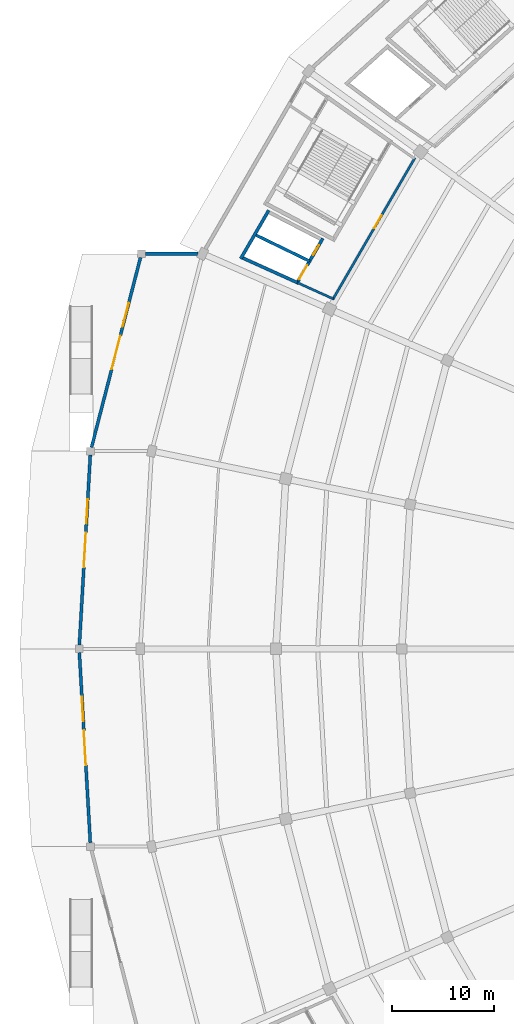
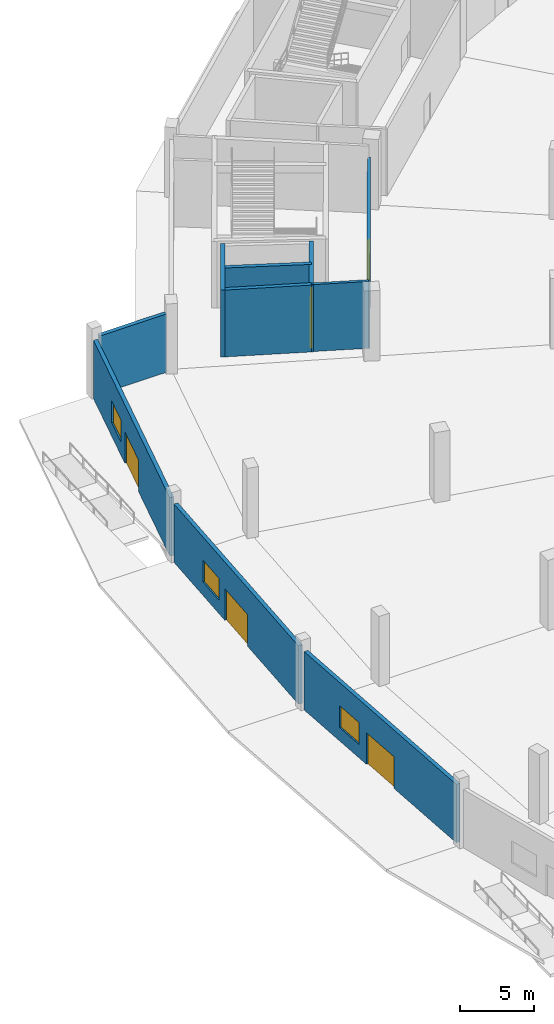
# One storey, part 12 of 48: 10 walls, 6 doors, 3 windows, 9 openings.
"""IFC4 building model written with IfcOpenShell, lengths in metres."""

from ifc_helpers import new_model, si_unit, direction, frame, frame_2d, origin, place, context, subcontext, project, spatial, rectangle, extrude, material, layer, layer_set, type_object, element, fill, save


model = new_model("IFC4")

# Units and contexts
model_context = context("Model", 3, precision=1e-05, world=origin(), true_north=direction((0.0, 1.0)))
body_context = subcontext(model_context, "Body", "Model", "MODEL_VIEW")
ifc_project = project(units=[si_unit("LENGTHUNIT", "METRE"), si_unit("AREAUNIT", "SQUARE_METRE"), si_unit("VOLUMEUNIT", "CUBIC_METRE"), si_unit("PLANEANGLEUNIT", "RADIAN"), si_unit("MASSUNIT", "GRAM", prefix="KILO")], contexts=[model_context])

# Site, building, storey
site_placement = place(None, origin())
site = spatial("IfcSite", under=ifc_project, at=site_placement, CompositionType="ELEMENT")
building_placement = place(site_placement, origin())
building = spatial("IfcBuilding", under=site, at=building_placement, Name="Kazemori Nagisa Stadium", CompositionType="ELEMENT")
storey_placement = place(building_placement, origin())
storey = spatial("IfcBuildingStorey", under=building, at=storey_placement, Name="L00", CompositionType="ELEMENT", Elevation=0.0)

# Wall
ifc_material_1 = material(Name="Concrete C40/50 (Fc42) precast", Category="concrete")
ifc_layer_1 = layer(ifc_material_1, 0.300048828125, Name="Concrete C40/50 (Fc42) precast", Category="concrete")
ifc_layer_set_1 = layer_set([ifc_layer_1], Name="Concrete C40/50 (Fc42) precast")
wall_type_1 = type_object("IfcWallType", Name="Wall_W-EXT-300", PredefinedType="SOLIDWALL", material=ifc_layer_set_1)
wall_1_placement = place(storey_placement, frame((33.675048828125, 140.74951171875, 0.0), z_axis=(0.0, 0.0, 1.0), x_axis=(-1.0, 0.0, 0.0)))
element("IfcWall", 1, at=wall_1_placement, inside=storey, type_object=wall_type_1, Name="West grandstand return wall L00-N", PredefinedType="SOLIDWALL", context=body_context, shape_type="SweptSolid", body=[
    extrude(rectangle(XDim=5.179931640625, YDim=0.300048828125, at=frame_2d((2.58984375, 0.0))), origin(), (0.0, 0.0, 1.0), 4.800048828125),
])

# Wall, openings, door, window
wall_2_placement = place(storey_placement, frame((28.02001953125, 140.381591796875, 0.0), z_axis=(0.0, 0.0, 1.0), x_axis=(-0.249965196191, -0.968254822189, 0.0)))
wall_2 = element("IfcWall", 2, at=wall_2_placement, inside=storey, type_object=wall_type_1, Name="Ground exterior entrance wall L00-13", PredefinedType="SOLIDWALL", context=body_context, shape_type="SweptSolid", body=[
    extrude(rectangle(XDim=19.226318359375, YDim=0.300048828125, at=frame_2d((9.61328125, 0.0))), origin(), (0.0, 0.0, 1.0), 4.800048828125),
])
opening_1_placement = place(wall_2_placement, frame((7.9130859375, 0.0, 0.0)))
opening_1 = element("IfcOpeningElement", 3, at=opening_1_placement, cuts=wall_2, Name="Opening D-ENT-3400", PredefinedType="OPENING", context=body_context, shape_type="SweptSolid", body=[
    extrude(rectangle(XDim=3.39990234375, YDim=2.60009765625, at=frame_2d((1.699951171875, 1.300048828125))), frame((0.0, 0.159912109375, 0.0), z_axis=(0.0, -1.0, 0.0), x_axis=(1.0, 0.0, 0.0)), (0.0, 0.0, 1.0), 0.320068359375),
])
opening_2_placement = place(wall_2_placement, frame((4.613037109375, 0.0, 1.10009765625)))
opening_2 = element("IfcOpeningElement", 4, at=opening_2_placement, cuts=wall_2, Name="Opening WIN-L00-2400", PredefinedType="OPENING", context=body_context, shape_type="SweptSolid", body=[
    extrude(rectangle(XDim=2.39990234375, YDim=1.800048828125, at=frame_2d((1.199951171875, 0.89990234375))), frame((0.0, 0.159912109375, 0.0), z_axis=(0.0, -1.0, 0.0), x_axis=(1.0, 0.0, 0.0)), (0.0, 0.0, 1.0), 0.320068359375),
])
ifc_material_2 = material(Name="Anodised aluminium 6063-T5", Category="aluminium")
door_type_1 = type_object("IfcDoorType", Name="Door_D-ENT-3400", OperationType="NOTDEFINED", PredefinedType="DOOR", material=ifc_material_2)
door_1_placement = place(opening_1_placement, frame((3.39990234375, 0.0, 0.0), z_axis=(0.0, 0.0, 1.0), x_axis=(-1.0, 0.0, 0.0)))
door_1 = element("IfcDoor", 5, at=door_1_placement, inside=storey, type_object=door_type_1, Name="Main entrance E3", OperationType="DOUBLE_DOOR_SINGLE_SWING", OverallHeight=2.60009765625, OverallWidth=3.39990234375, PredefinedType="DOOR", context=body_context, shape_type="SweptSolid", body=[
    extrude(rectangle(XDim=3.39990234375, YDim=2.60009765625, at=frame_2d((1.699951171875, 1.300048828125))), frame((0.0, 0.02490234375, 0.0), z_axis=(0.0, -1.0, 0.0), x_axis=(1.0, 0.0, 0.0)), (0.0, 0.0, 1.0), 0.050048828125),
])
fill(opening_1, door_1)
ifc_material_3 = material(Name="Low-e laminated double glazing", Category="glass")
window_type = type_object("IfcWindowType", Name="Window_WIN-L00-2400", PartitioningType="SINGLE_PANEL", PredefinedType="WINDOW", material=ifc_material_3)
window_1_placement = place(opening_2_placement, origin())
window_1 = element("IfcWindow", 6, at=window_1_placement, inside=storey, type_object=window_type, Name="Entrance foyer window L00-13", OverallHeight=1.800048828125, OverallWidth=2.39990234375, PartitioningType="SINGLE_PANEL", PredefinedType="WINDOW", context=body_context, shape_type="SweptSolid", body=[
    extrude(rectangle(XDim=2.39990234375, YDim=1.800048828125, at=frame_2d((1.199951171875, 0.89990234375))), frame((0.0, 0.030029296875, 0.0), z_axis=(0.0, -1.0, 0.0), x_axis=(1.0, 0.0, 0.0)), (0.0, 0.0, 1.0), 0.06005859375),
])
fill(opening_2, window_1)

wall_3_placement = place(storey_placement, frame((23.097412109375, 121.018310546875, 0.0), z_axis=(0.0, 0.0, 1.0), x_axis=(-0.057602801108, -0.998339580155, 0.0)))
wall_3 = element("IfcWall", 7, at=wall_3_placement, inside=storey, type_object=wall_type_1, Name="Ground exterior entrance wall L00-14", PredefinedType="SOLIDWALL", context=body_context, shape_type="SweptSolid", body=[
    extrude(rectangle(XDim=18.669921875, YDim=0.300048828125, at=frame_2d((9.3349609375, 0.0))), origin(), (0.0, 0.0, 1.0), 4.800048828125),
])
opening_3_placement = place(wall_3_placement, frame((7.635009765625, 0.0, 0.0)))
opening_3 = element("IfcOpeningElement", 8, at=opening_3_placement, cuts=wall_3, Name="Opening D-ENT-3400", PredefinedType="OPENING", context=body_context, shape_type="SweptSolid", body=[
    extrude(rectangle(XDim=3.39990234375, YDim=2.60009765625, at=frame_2d((1.699951171875, 1.300048828125))), frame((0.0, 0.159912109375, 0.0), z_axis=(0.0, -1.0, 0.0), x_axis=(1.0, 0.0, 0.0)), (0.0, 0.0, 1.0), 0.320068359375),
])
opening_4_placement = place(wall_3_placement, frame((4.3349609375, 0.0, 1.10009765625)))
opening_4 = element("IfcOpeningElement", 9, at=opening_4_placement, cuts=wall_3, Name="Opening WIN-L00-2400", PredefinedType="OPENING", context=body_context, shape_type="SweptSolid", body=[
    extrude(rectangle(XDim=2.39990234375, YDim=1.800048828125, at=frame_2d((1.199951171875, 0.89990234375))), frame((0.0, 0.159912109375, 0.0), z_axis=(0.0, -1.0, 0.0), x_axis=(1.0, 0.0, 0.0)), (0.0, 0.0, 1.0), 0.320068359375),
])
door_2_placement = place(opening_3_placement, frame((3.39990234375, 0.0, 0.0), z_axis=(0.0, 0.0, 1.0), x_axis=(-1.0, 0.0, 0.0)))
door_2 = element("IfcDoor", 10, at=door_2_placement, inside=storey, type_object=door_type_1, Name="Main entrance E1", OperationType="DOUBLE_DOOR_SINGLE_SWING", OverallHeight=2.60009765625, OverallWidth=3.39990234375, PredefinedType="DOOR", context=body_context, shape_type="SweptSolid", body=[
    extrude(rectangle(XDim=3.39990234375, YDim=2.60009765625, at=frame_2d((1.699951171875, 1.300048828125))), frame((0.0, 0.02490234375, 0.0), z_axis=(0.0, -1.0, 0.0), x_axis=(1.0, 0.0, 0.0)), (0.0, 0.0, 1.0), 0.050048828125),
])
fill(opening_3, door_2)
window_2_placement = place(opening_4_placement, origin())
window_2 = element("IfcWindow", 11, at=window_2_placement, inside=storey, type_object=window_type, Name="Entrance foyer window L00-14", OverallHeight=1.800048828125, OverallWidth=2.39990234375, PartitioningType="SINGLE_PANEL", PredefinedType="WINDOW", context=body_context, shape_type="SweptSolid", body=[
    extrude(rectangle(XDim=2.39990234375, YDim=1.800048828125, at=frame_2d((1.199951171875, 0.89990234375))), frame((0.0, 0.030029296875, 0.0), z_axis=(0.0, -1.0, 0.0), x_axis=(1.0, 0.0, 0.0)), (0.0, 0.0, 1.0), 0.06005859375),
])
fill(opening_4, window_2)

wall_4_placement = place(storey_placement, frame((22.02197265625, 101.62060546875, 0.0), z_axis=(0.0, 0.0, 1.0), x_axis=(0.057602801108, -0.998339580155, 0.0)))
wall_4 = element("IfcWall", 12, at=wall_4_placement, inside=storey, type_object=wall_type_1, Name="Ground exterior entrance wall L00-15", PredefinedType="SOLIDWALL", context=body_context, shape_type="SweptSolid", body=[
    extrude(rectangle(XDim=18.669921875, YDim=0.300048828125, at=frame_2d((9.3349609375, 0.0))), origin(), (0.0, 0.0, 1.0), 4.800048828125),
])
opening_5_placement = place(wall_4_placement, frame((7.635009765625, 0.0, 0.0)))
opening_5 = element("IfcOpeningElement", 13, at=opening_5_placement, cuts=wall_4, Name="Opening D-ENT-3400", PredefinedType="OPENING", context=body_context, shape_type="SweptSolid", body=[
    extrude(rectangle(XDim=3.39990234375, YDim=2.60009765625, at=frame_2d((1.699951171875, 1.300048828125))), frame((0.0, 0.159912109375, 0.0), z_axis=(0.0, -1.0, 0.0), x_axis=(1.0, 0.0, 0.0)), (0.0, 0.0, 1.0), 0.320068359375),
])
opening_6_placement = place(wall_4_placement, frame((4.3349609375, 0.0, 1.10009765625)))
opening_6 = element("IfcOpeningElement", 14, at=opening_6_placement, cuts=wall_4, Name="Opening WIN-L00-2400", PredefinedType="OPENING", context=body_context, shape_type="SweptSolid", body=[
    extrude(rectangle(XDim=2.39990234375, YDim=1.800048828125, at=frame_2d((1.199951171875, 0.89990234375))), frame((0.0, 0.159912109375, 0.0), z_axis=(0.0, -1.0, 0.0), x_axis=(1.0, 0.0, 0.0)), (0.0, 0.0, 1.0), 0.320068359375),
])
door_3_placement = place(opening_5_placement, frame((3.39990234375, 0.0, 0.0), z_axis=(0.0, 0.0, 1.0), x_axis=(-1.0, 0.0, 0.0)))
door_3 = element("IfcDoor", 15, at=door_3_placement, inside=storey, type_object=door_type_1, Name="Main entrance E2", OperationType="DOUBLE_DOOR_SINGLE_SWING", OverallHeight=2.60009765625, OverallWidth=3.39990234375, PredefinedType="DOOR", context=body_context, shape_type="SweptSolid", body=[
    extrude(rectangle(XDim=3.39990234375, YDim=2.60009765625, at=frame_2d((1.699951171875, 1.300048828125))), frame((0.0, 0.02490234375, 0.0), z_axis=(0.0, -1.0, 0.0), x_axis=(1.0, 0.0, 0.0)), (0.0, 0.0, 1.0), 0.050048828125),
])
fill(opening_5, door_3)
window_3_placement = place(opening_6_placement, origin())
window_3 = element("IfcWindow", 16, at=window_3_placement, inside=storey, type_object=window_type, Name="Entrance foyer window L00-15", OverallHeight=1.800048828125, OverallWidth=2.39990234375, PartitioningType="SINGLE_PANEL", PredefinedType="WINDOW", context=body_context, shape_type="SweptSolid", body=[
    extrude(rectangle(XDim=2.39990234375, YDim=1.800048828125, at=frame_2d((1.199951171875, 0.89990234375))), frame((0.0, 0.030029296875, 0.0), z_axis=(0.0, -1.0, 0.0), x_axis=(1.0, 0.0, 0.0)), (0.0, 0.0, 1.0), 0.06005859375),
])
fill(opening_6, window_3)

# Wall, opening, door
ifc_material_4 = material(Name="Concrete C36/45 (Fc36)", Category="concrete")
ifc_layer_2 = layer(ifc_material_4, 0.219970703125, Name="Concrete C36/45 (Fc36)", Category="concrete")
ifc_layer_set_2 = layer_set([ifc_layer_2], Name="Concrete C36/45 (Fc36)")
wall_type_2 = type_object("IfcWallType", Name="Wall_W-LOBBY-220", PredefinedType="SOLIDWALL", material=ifc_layer_set_2)
wall_5_placement = place(storey_placement, frame((54.9443359375, 150.17041015625, 0.0), z_axis=(0.0, 0.0, 1.0), x_axis=(-0.501612626242, -0.865092349518, 0.0)))
wall_5 = element("IfcWall", 17, at=wall_5_placement, inside=storey, type_object=wall_type_2, Name="Core lobby fire wall ST08 L00", PredefinedType="SOLIDWALL", context=body_context, shape_type="SweptSolid", body=[
    extrude(rectangle(XDim=16.110107421875, YDim=0.219970703125, at=frame_2d((8.05517578125, 0.0))), origin(), (0.0, 0.0, 1.0), 4.447998046875),
])
opening_7_placement = place(wall_5_placement, frame((6.510986328125, 0.0, 0.0)))
opening_7 = element("IfcOpeningElement", 18, at=opening_7_placement, cuts=wall_5, Name="Opening D-FFL-1500", PredefinedType="OPENING", context=body_context, shape_type="SweptSolid", body=[
    extrude(rectangle(XDim=1.5, YDim=2.199951171875, at=frame_2d((0.75, 1.10009765625))), frame((0.0, 0.119873046875, 0.0), z_axis=(0.0, -1.0, 0.0), x_axis=(1.0, 0.0, 0.0)), (0.0, 0.0, 1.0), 0.239990234375),
])
ifc_material_5 = material(Name="Galvanised steel sheet", Category="steel")
door_type_2 = type_object("IfcDoorType", Name="Door_D-FFL-1500", OperationType="NOTDEFINED", PredefinedType="DOOR", material=ifc_material_5)
door_4_placement = place(opening_7_placement, origin())
door_4 = element("IfcDoor", 19, at=door_4_placement, inside=storey, type_object=door_type_2, Name="Protected lobby fire door ST08-L00", OperationType="DOUBLE_DOOR_SINGLE_SWING", OverallHeight=2.199951171875, OverallWidth=1.5, PredefinedType="DOOR", context=body_context, shape_type="SweptSolid", body=[
    extrude(rectangle(XDim=1.5, YDim=2.199951171875, at=frame_2d((0.75, 1.10009765625))), frame((0.0, 0.02490234375, 0.0), z_axis=(0.0, -1.0, 0.0), x_axis=(1.0, 0.0, 0.0)), (0.0, 0.0, 1.0), 0.050048828125),
])
fill(opening_7, door_4)

# Wall
wall_6_placement = place(storey_placement, frame((46.91845703125, 136.328857421875, 0.0), z_axis=(0.0, 0.0, 1.0), x_axis=(-0.91149641055, 0.411308027582, 0.0)))
element("IfcWall", 20, at=wall_6_placement, inside=storey, type_object=wall_type_2, Name="Core lobby right wall ST08 L00", PredefinedType="SOLIDWALL", context=body_context, shape_type="SweptSolid", body=[
    extrude(rectangle(XDim=3.873046875, YDim=0.219970703125, at=frame_2d((1.9365234375, 0.0))), origin(), (0.0, 0.0, 1.0), 5.5),
])

# Wall, openings, doors
ifc_material_6 = material(Name="Concrete C40/50 (Fc42)", Category="concrete")
ifc_layer_3 = layer(ifc_material_6, 0.300048828125, Name="Concrete C40/50 (Fc42)", Category="concrete")
ifc_layer_set_3 = layer_set([ifc_layer_3], Name="Concrete C40/50 (Fc42)")
wall_type_3 = type_object("IfcWallType", Name="Wall_W-SHAFT-300", PredefinedType="SHEAR", material=ifc_layer_set_3)
wall_7_placement = place(storey_placement, frame((45.89990234375, 142.253662109375, 0.0), z_axis=(0.0, 0.0, 1.0), x_axis=(-0.501629534056, -0.86508254552, 0.0)))
wall_7 = element("IfcWall", 21, at=wall_7_placement, inside=storey, type_object=wall_type_3, Name="Lift shaft front wall LP6 L00", PredefinedType="SHEAR", context=body_context, shape_type="SweptSolid", body=[
    extrude(rectangle(XDim=5.157470703125, YDim=0.300048828125, at=frame_2d((2.57861328125, 0.0))), origin(), (0.0, 0.0, 1.0), 5.5),
])
opening_8_placement = place(wall_7_placement, frame((0.76611328125, 0.0, 0.0)))
opening_8 = element("IfcOpeningElement", 22, at=opening_8_placement, cuts=wall_7, Name="Opening LD-PAX", PredefinedType="OPENING", context=body_context, shape_type="SweptSolid", body=[
    extrude(rectangle(XDim=1.10009765625, YDim=2.199951171875, at=frame_2d((0.550048828125, 1.10009765625))), frame((0.0, 0.159912109375, 0.0), z_axis=(0.0, -1.0, 0.0), x_axis=(1.0, 0.0, 0.0)), (0.0, 0.0, 1.0), 0.320068359375),
])
opening_9_placement = place(wall_7_placement, frame((3.0419921875, 0.0, 0.0)))
opening_9 = element("IfcOpeningElement", 23, at=opening_9_placement, cuts=wall_7, Name="Opening LD-GDS", PredefinedType="OPENING", context=body_context, shape_type="SweptSolid", body=[
    extrude(rectangle(XDim=1.60009765625, YDim=2.300048828125, at=frame_2d((0.800048828125, 1.14990234375))), frame((0.0, 0.159912109375, 0.0), z_axis=(0.0, -1.0, 0.0), x_axis=(1.0, 0.0, 0.0)), (0.0, 0.0, 1.0), 0.320068359375),
])
ifc_material_7 = material(Name="Stainless steel SUS304", Category="steel")
door_type_3 = type_object("IfcDoorType", Name="Door_LD-GDS", OperationType="SLIDING_TO_LEFT", PredefinedType="DOOR", material=ifc_material_7)
door_5_placement = place(opening_9_placement, origin())
door_5 = element("IfcDoor", 24, at=door_5_placement, inside=storey, type_object=door_type_3, Name="Lift landing door LG1-L00", OperationType="SLIDING_TO_LEFT", OverallHeight=2.300048828125, OverallWidth=1.60009765625, PredefinedType="DOOR", context=body_context, shape_type="SweptSolid", body=[
    extrude(rectangle(XDim=1.60009765625, YDim=2.300048828125, at=frame_2d((0.800048828125, 1.14990234375))), frame((0.0, 0.02490234375, 0.0), z_axis=(0.0, -1.0, 0.0), x_axis=(1.0, 0.0, 0.0)), (0.0, 0.0, 1.0), 0.050048828125),
])
fill(opening_9, door_5)
door_type_4 = type_object("IfcDoorType", Name="Door_LD-PAX", OperationType="SLIDING_TO_RIGHT", PredefinedType="DOOR", material=ifc_material_7)
door_6_placement = place(opening_8_placement, origin())
door_6 = element("IfcDoor", 25, at=door_6_placement, inside=storey, type_object=door_type_4, Name="Lift landing door LP6-L00", OperationType="SLIDING_TO_RIGHT", OverallHeight=2.199951171875, OverallWidth=1.10009765625, PredefinedType="DOOR", context=body_context, shape_type="SweptSolid", body=[
    extrude(rectangle(XDim=1.10009765625, YDim=2.199951171875, at=frame_2d((0.550048828125, 1.10009765625))), frame((0.0, 0.02490234375, 0.0), z_axis=(0.0, -1.0, 0.0), x_axis=(1.0, 0.0, 0.0)), (0.0, 0.0, 1.0), 0.050048828125),
])
fill(opening_8, door_6)

# Walls
wall_8_placement = place(storey_placement, frame((40.59521484375, 145.01171875, 0.0), z_axis=(0.0, 0.0, 1.0), x_axis=(-0.501630260479, -0.865082124293, 0.0)))
element("IfcWall", 26, at=wall_8_placement, inside=storey, type_object=wall_type_3, Name="Lift shaft B wall LP6 L00", PredefinedType="SHEAR", context=body_context, shape_type="SweptSolid", body=[
    extrude(rectangle(XDim=5.491455078125, YDim=0.300048828125, at=frame_2d((2.74560546875, 0.0))), origin(), (0.0, 0.0, 1.0), 5.5),
])
wall_9_placement = place(storey_placement, frame((43.38818359375, 137.921875, 0.0), z_axis=(0.0, 0.0, 1.0), x_axis=(-0.911521602376, 0.41125219562, 0.0)))
element("IfcWall", 27, at=wall_9_placement, inside=storey, type_object=wall_type_3, Name="Lift shaft R wall LP6 L00", PredefinedType="SHEAR", context=body_context, shape_type="SweptSolid", body=[
    extrude(rectangle(XDim=6.003662109375, YDim=0.300048828125, at=frame_2d((3.001953125, 0.0))), origin(), (0.0, 0.0, 1.0), 5.5),
])
wall_10_placement = place(storey_placement, frame((44.6064453125, 140.02294921875, 0.0), z_axis=(0.0, 0.0, 1.0), x_axis=(-0.899759302591, 0.436386522936, 0.0)))
element("IfcWall", 28, at=wall_10_placement, inside=storey, type_object=wall_type_3, Name="Lift shaft divider wall LP6-LG1 L00", PredefinedType="SHEAR", context=body_context, shape_type="SweptSolid", body=[
    extrude(rectangle(XDim=5.989013671875, YDim=0.300048828125, at=frame_2d((2.99462890625, 0.0))), origin(), (0.0, 0.0, 1.0), 5.5),
])

save(model, "model.ifc")
